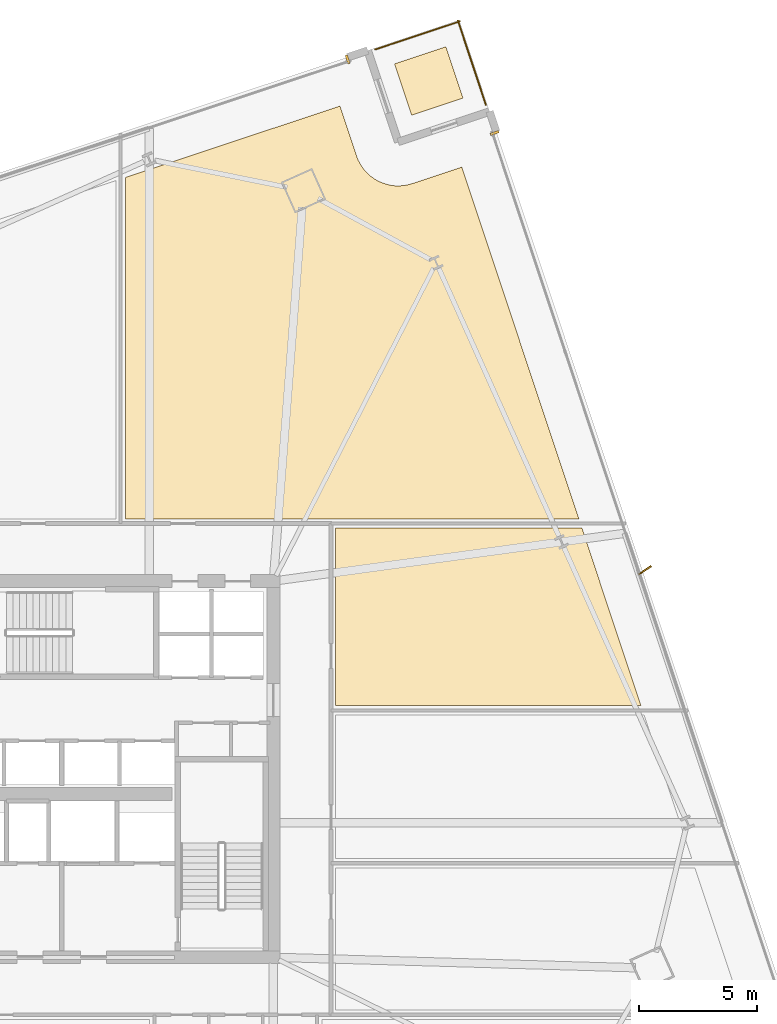
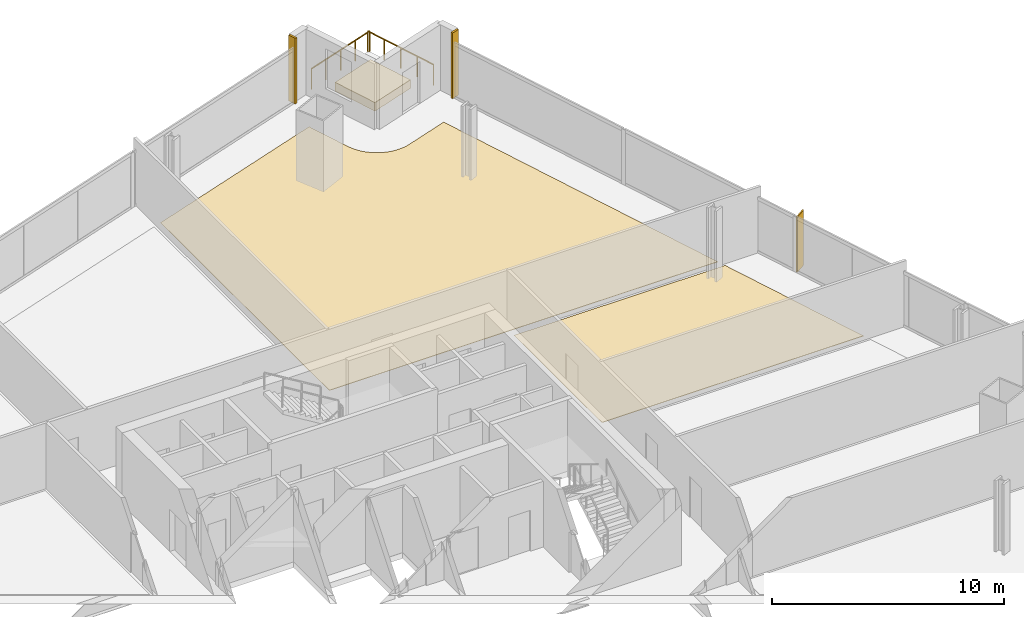
# One storey, part 34 of 34: 5 coverings, 2 railings, 1 shading device.
"""IFC4 building model written with IfcOpenShell, lengths in metres."""

from ifc_helpers import new_model, si_unit, direction, frame, origin, origin_2d, place, context, subcontext, project, spatial, polyline, rectangle, outline, extrude, source, transform, mapped, material, layer, layer_set, type_object, element, save


model = new_model("IFC4")

# Units and contexts
model_context = context("Model", 3, precision=1e-05, world=origin(), true_north=direction((0.0, 1.0)))
body_context = subcontext(model_context, "Body", "Model", "MODEL_VIEW")
ifc_project = project(units=[si_unit("LENGTHUNIT", "METRE"), si_unit("AREAUNIT", "SQUARE_METRE"), si_unit("VOLUMEUNIT", "CUBIC_METRE"), si_unit("PLANEANGLEUNIT", "RADIAN"), si_unit("MASSUNIT", "GRAM", prefix="KILO")], contexts=[model_context])

# Site, building, storey
site_placement = place(None, origin())
site = spatial("IfcSite", under=ifc_project, at=site_placement, CompositionType="ELEMENT")
building_placement = place(site_placement, origin())
building = spatial("IfcBuilding", under=site, at=building_placement, Name="Haldenkirk Collegiate Tower", CompositionType="ELEMENT")
storey_placement = place(building_placement, frame((0.0, 0.0, 90.449951171875)))
storey = spatial("IfcBuildingStorey", under=building, at=storey_placement, Name="L21", CompositionType="ELEMENT", Elevation=90.449951171875)

# Coverings
ifc_material_1 = material(Name="Engineered collegiate oak acoustic flooring", Category="wood")
ifc_layer_1 = layer(ifc_material_1, 0.02197265625)
ifc_layer_set_1 = layer_set([ifc_layer_1], Name="Engineered collegiate oak acoustic flooring")
covering_type_1 = type_object("IfcCoveringType", Name="COV-FLOOR-TIMBER", PredefinedType="FLOORING", material=ifc_layer_set_1)
covering_1_placement = place(storey_placement, origin())
element("IfcCovering", 1, at=covering_1_placement, inside=storey, type_object=covering_type_1, Name="L21 academic room finish 07", PredefinedType="FLOORING", context=body_context, shape_type="SweptSolid", body=[
    extrude(outline(polyline([(47.83154296875, 54.206787109375), (48.535400390625, 52.090576171875), (48.537353515625, 52.085205078125), (48.599609375, 51.925048828125), (48.604248046875, 51.914306640625), (48.681884765625, 51.760986328125), (48.687744140625, 51.750732421875), (48.77978515625, 51.60595703125), (48.78662109375, 51.59619140625), (48.892578125, 51.461181640625), (48.900390625, 51.4521484375), (49.018798828125, 51.328125), (49.027587890625, 51.320068359375), (49.15771484375, 51.2080078125), (49.1669921875, 51.200927734375), (49.3076171875, 51.102294921875), (49.317626953125, 51.095947265625), (49.46728515625, 51.01171875), (49.477783203125, 51.00634765625), (49.635009765625, 50.93701171875), (49.64599609375, 50.932861328125), (49.80908203125, 50.87939453125), (49.820556640625, 50.876220703125), (49.988037109375, 50.8388671875), (49.999755859375, 50.8369140625), (50.17041015625, 50.81640625), (50.181884765625, 50.8154296875), (50.353759765625, 50.8115234375), (50.365478515625, 50.811767578125), (50.53662109375, 50.82470703125), (50.54833984375, 50.826416015625), (50.717529296875, 50.85595703125), (50.72900390625, 50.858642578125), (50.89453125, 50.90478515625), (50.900146484375, 50.906494140625), (53.01611328125, 51.610595703125), (57.99267578125, 36.64990234375), (38.699951171875, 36.64990234375), (38.699951171875, 51.1689453125), (47.83154296875, 54.206787109375)])), origin(), (0.0, 0.0, 1.0), 0.02197265625),
])
covering_2_placement = place(storey_placement, origin())
element("IfcCovering", 2, at=covering_2_placement, inside=storey, type_object=covering_type_1, Name="L21 academic room finish 11", PredefinedType="FLOORING", context=body_context, shape_type="SweptSolid", body=[
    extrude(outline(polyline([(60.63720703125, 28.699951171875), (47.64990234375, 28.699951171875), (47.64990234375, 36.25), (58.125732421875, 36.25), (60.63720703125, 28.699951171875)])), origin(), (0.0, 0.0, 1.0), 0.02197265625),
])
ifc_material_2 = material(Name="Precast concrete f'c 40 MPa", Category="concrete")
ifc_layer_2 = layer(ifc_material_2, 0.449951171875)
ifc_layer_set_2 = layer_set([ifc_layer_2], Name="Precast concrete f'c 40 MPa")
covering_type_2 = type_object("IfcCoveringType", Name="COV-PLANTER-450", PredefinedType="USERDEFINED", material=ifc_layer_set_2)
covering_3_placement = place(storey_placement, origin())
element("IfcCovering", 3, at=covering_3_placement, inside=storey, type_object=covering_type_2, Name="L21 planted garden planter bed", ObjectType="PLANTER", PredefinedType="USERDEFINED", context=body_context, shape_type="SweptSolid", body=[
    extrude(outline(polyline([(50.879638671875, 53.819091796875), (50.15380859375, 56.00146484375), (52.336181640625, 56.727294921875), (53.06201171875, 54.544921875), (50.879638671875, 53.819091796875)])), origin(), (0.0, 0.0, 1.0), 0.449951171875),
])

# Railings
ifc_material_3 = material(Name="Anodised architectural bronze aluminium", Category="aluminium")
railing_type = type_object("IfcRailingType", Name="RLG-TERR-BALUSTRADE-1100", PredefinedType="BALUSTRADE", material=ifc_material_3)
railing_1_placement = place(storey_placement, frame((54.042236328125, 54.259765625, 0.0)))
element("IfcRailing", 4, at=railing_1_placement, inside=storey, type_object=railing_type, Name="L21 terrace guard balustrade 2-1", PredefinedType="BALUSTRADE", context=body_context, shape_type="SweptSolid", body=[
    extrude(rectangle(XDim=0.048095703125, YDim=0.048095703125, at=origin_2d()), frame((0.0, 0.0, 1.076171875), z_axis=(-0.315627061819, 0.948883321514, 0.0), x_axis=(-0.948883321514, -0.315627061819, 0.0)), (0.0, 0.0, 1.0), 3.780029296875),
    extrude(rectangle(XDim=0.0419921875, YDim=0.0419921875, at=origin_2d()), origin(), (0.0, 0.0, 1.0), 1.052001953125),
    extrude(rectangle(XDim=0.0419921875, YDim=0.0419921875, at=origin_2d()), frame((-0.29833984375, 0.896728515625, 0.0)), (0.0, 0.0, 1.0), 1.052001953125),
    extrude(rectangle(XDim=0.0419921875, YDim=0.0419921875, at=origin_2d()), frame((-0.5966796875, 1.79345703125, 0.0)), (0.0, 0.0, 1.0), 1.052001953125),
    extrude(rectangle(XDim=0.0419921875, YDim=0.0419921875, at=origin_2d()), frame((-0.894775390625, 2.690185546875, 0.0)), (0.0, 0.0, 1.0), 1.052001953125),
    extrude(rectangle(XDim=0.0419921875, YDim=0.0419921875, at=origin_2d()), frame((-1.193115234375, 3.5869140625, 0.0)), (0.0, 0.0, 1.0), 1.052001953125),
])
railing_2_placement = place(storey_placement, frame((52.9248046875, 57.80859375, 0.0)))
element("IfcRailing", 5, at=railing_2_placement, inside=storey, type_object=railing_type, Name="L21 terrace guard balustrade 3-1", PredefinedType="BALUSTRADE", context=body_context, shape_type="SweptSolid", body=[
    extrude(rectangle(XDim=0.048095703125, YDim=0.048095703125, at=origin_2d()), frame((0.0, 0.0, 1.076171875), z_axis=(-0.948876886933, -0.315646405721, 0.0), x_axis=(0.315646405721, -0.948876886933, 0.0)), (0.0, 0.0, 1.0), 3.780029296875),
    extrude(rectangle(XDim=0.0419921875, YDim=0.0419921875, at=origin_2d()), origin(), (0.0, 0.0, 1.0), 1.052001953125),
    extrude(rectangle(XDim=0.0419921875, YDim=0.0419921875, at=origin_2d()), frame((-0.896728515625, -0.29833984375, 0.0)), (0.0, 0.0, 1.0), 1.052001953125),
    extrude(rectangle(XDim=0.0419921875, YDim=0.0419921875, at=origin_2d()), frame((-1.79345703125, -0.5966796875, 0.0)), (0.0, 0.0, 1.0), 1.052001953125),
    extrude(rectangle(XDim=0.0419921875, YDim=0.0419921875, at=origin_2d()), frame((-2.68994140625, -0.894775390625, 0.0)), (0.0, 0.0, 1.0), 1.052001953125),
    extrude(rectangle(XDim=0.0419921875, YDim=0.0419921875, at=origin_2d()), frame((-3.586669921875, -1.193115234375, 0.0)), (0.0, 0.0, 1.0), 1.052001953125),
])

# Coverings
ifc_layer_3 = layer(ifc_material_3, 0.06005859375)
ifc_layer_set_3 = layer_set([ifc_layer_3], Name="Anodised architectural bronze aluminium")
covering_type_3 = type_object("IfcCoveringType", Name="COV-CLAD-BRONZE-60", PredefinedType="CLADDING", material=ifc_layer_set_3)
shared_shape_1 = source(origin(), body_context, "Body", "SweptSolid", [
    extrude(rectangle(XDim=0.10009765625, YDim=0.3798828125, at=origin_2d()), origin(), (0.0, 0.0, 1.0), 3.449951171875),
])
for number, where, z_axis, x_axis, name in (
    (6, (54.408447265625, 53.064208984375, 0.0), (0.0, 0.0, 1.0), (0.315649036947, -0.948876011644, 0.0), "L21 recessed curtain-wall bronze jamb closure EJL"),
    (7, (48.16162109375, 56.1923828125, 0.0), (0.0, 0.0, 1.0), (0.948876011644, 0.315649036947, 0.0), "L21 recessed curtain-wall bronze jamb closure NJR"),
):
    element("IfcCovering", number, at=place(storey_placement, frame(where, z_axis=z_axis, x_axis=x_axis)), inside=storey, type_object=covering_type_3, Name=name, PredefinedType="CLADDING", context=body_context, shape_type="MappedRepresentation", body=[
        mapped(shared_shape_1, transform((0.0, 0.0, 0.0), x_axis=(1.0, 0.0, 0.0), y_axis=(0.0, 1.0, 0.0), z_axis=(0.0, 0.0, 1.0), scale=1.0)),
    ])

# Shading device
ifc_layer_4 = layer(ifc_material_3, 0.06494140625)
ifc_layer_set_4 = layer_set([ifc_layer_4], Name="Anodised architectural bronze aluminium")
shading_device_type = type_object("IfcShadingDeviceType", Name="SHD-FIN-BRONZE-620", PredefinedType="USERDEFINED", material=ifc_layer_set_4)
shared_shape_2 = source(origin(), body_context, "Body", "SweptSolid", [
    extrude(rectangle(XDim=0.6201171875, YDim=0.06494140625, at=origin_2d()), origin(), (0.0, 0.0, 1.0), 2.90087890625),
])
shading_device_placement = place(storey_placement, frame((60.811767578125, 34.464599609375, 0.0), z_axis=(0.0, 0.0, 1.0), x_axis=(0.825113498278, 0.564967003425, 0.0)))
element("IfcShadingDevice", 8, at=shading_device_placement, inside=storey, type_object=shading_device_type, Name="L21 folded bronze solar fin 1", ObjectType="FIN", PredefinedType="USERDEFINED", context=body_context, shape_type="MappedRepresentation", body=[
    mapped(shared_shape_2, transform((0.0, 0.0, 0.0), x_axis=(1.0, 0.0, 0.0), y_axis=(0.0, 1.0, 0.0), z_axis=(0.0, 0.0, 1.0), scale=1.0)),
])

save(model, "model.ifc")
